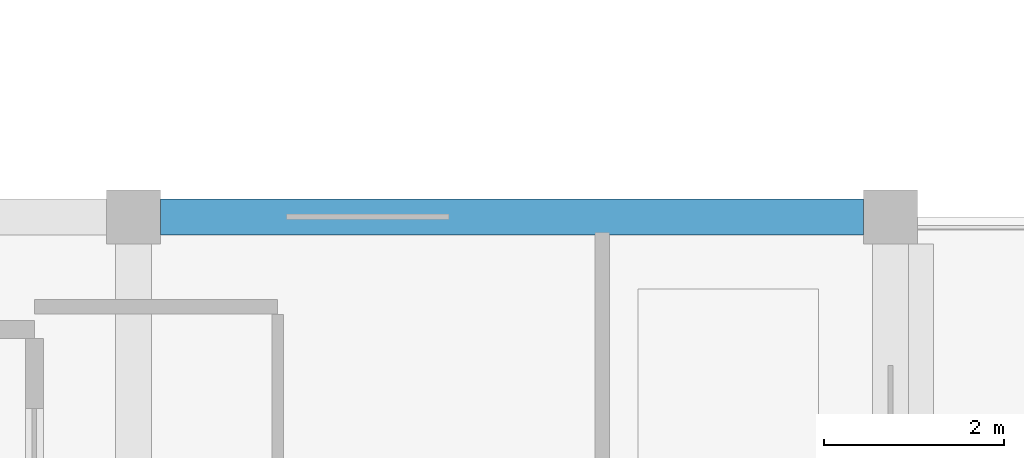
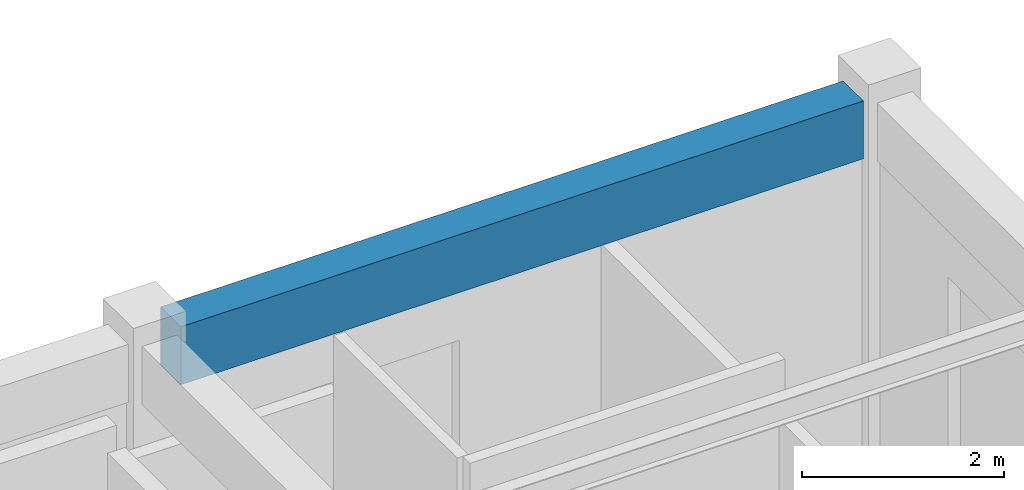
# One storey, part 25 of 76: 1 beam.
"""IFC4 building model written with IfcOpenShell, lengths in metres."""

from ifc_helpers import new_model, si_unit, direction, frame, origin, origin_2d, place, context, subcontext, project, spatial, rectangle, extrude, material, material_profile, profile_set, type_object, element, save


model = new_model("IFC4")

# Units and contexts
model_context = context("Model", 3, precision=1e-05, world=origin(), true_north=direction((0.0, 1.0)))
body_context = subcontext(model_context, "Body", "Model", "MODEL_VIEW")
ifc_project = project(units=[si_unit("LENGTHUNIT", "METRE"), si_unit("AREAUNIT", "SQUARE_METRE"), si_unit("VOLUMEUNIT", "CUBIC_METRE"), si_unit("PLANEANGLEUNIT", "RADIAN"), si_unit("MASSUNIT", "GRAM", prefix="KILO")], contexts=[model_context])

# Site, building, storey
site_placement = place(None, origin())
site = spatial("IfcSite", under=ifc_project, at=site_placement, CompositionType="ELEMENT")
building_placement = place(site_placement, origin())
building = spatial("IfcBuilding", under=site, at=building_placement, Name="Krzemoval Escarpment Law Courts", CompositionType="ELEMENT")
storey_placement = place(building_placement, frame((0.0, 0.0, 20.39990234375)))
storey = spatial("IfcBuildingStorey", under=building, at=storey_placement, Name="L04", CompositionType="ELEMENT", Elevation=20.39990234375)

# Beam
ifc_material = material(Name="Concrete C40/50", Category="concrete")
ifc_material_profile = material_profile(ifc_material, rectangle(XDim=0.39990234375, YDim=0.699951171875, at=origin_2d()), Name="RCB 400x700")
ifc_profile_set = profile_set([ifc_material_profile], Name="Concrete C40/50")
beam_type = type_object("IfcBeamType", Name="BM-RC-400x700", PredefinedType="BEAM", material=ifc_profile_set)
beam_placement = place(storey_placement, frame((67.5, 35.39990234375, 4.2001953125), z_axis=(1.0, 0.0, 0.0), x_axis=(0.0, 1.0, 0.0)))
element("IfcBeam", 1, at=beam_placement, inside=storey, type_object=beam_type, Name="Beam FG-L04-2448", PredefinedType="BEAM", context=body_context, shape_type="SweptSolid", body=[
    extrude(rectangle(XDim=0.39990234375, YDim=0.699951171875, at=origin_2d()), origin(), (0.0, 0.0, 1.0), 7.800048828125),
])

save(model, "model.ifc")
